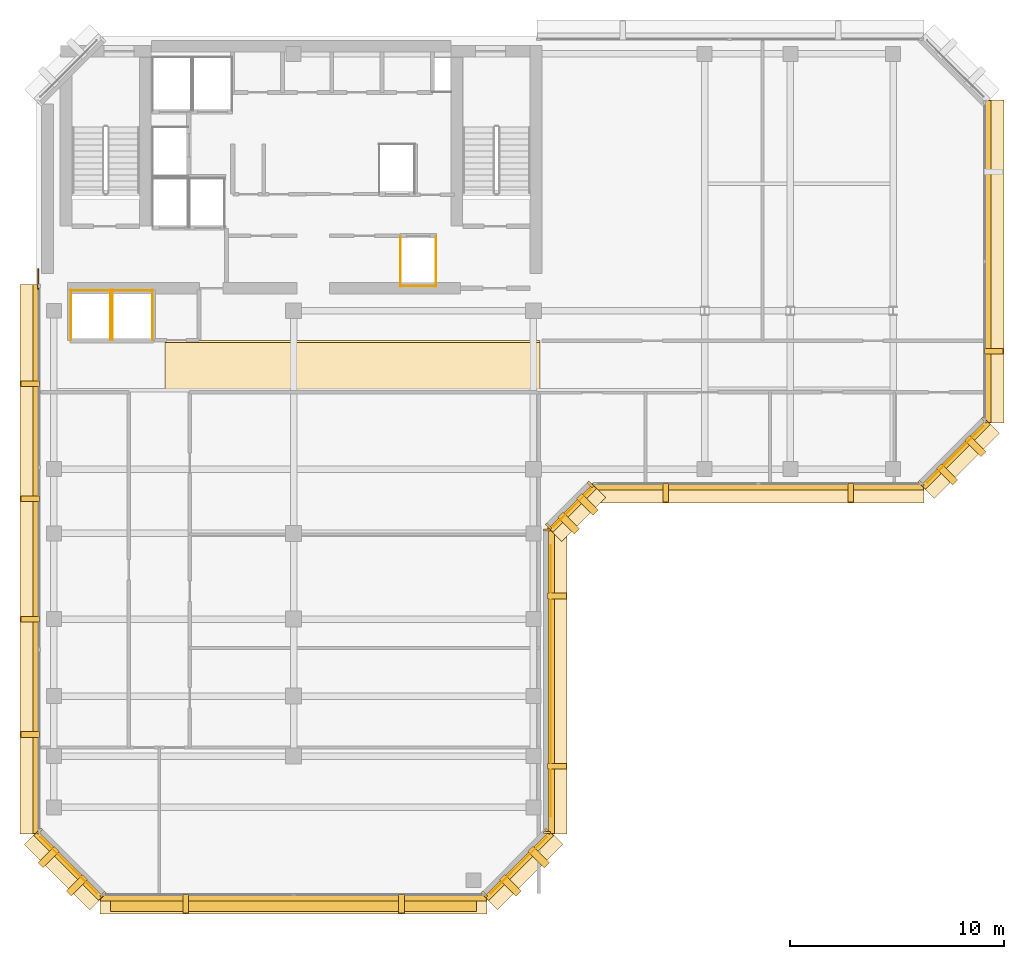
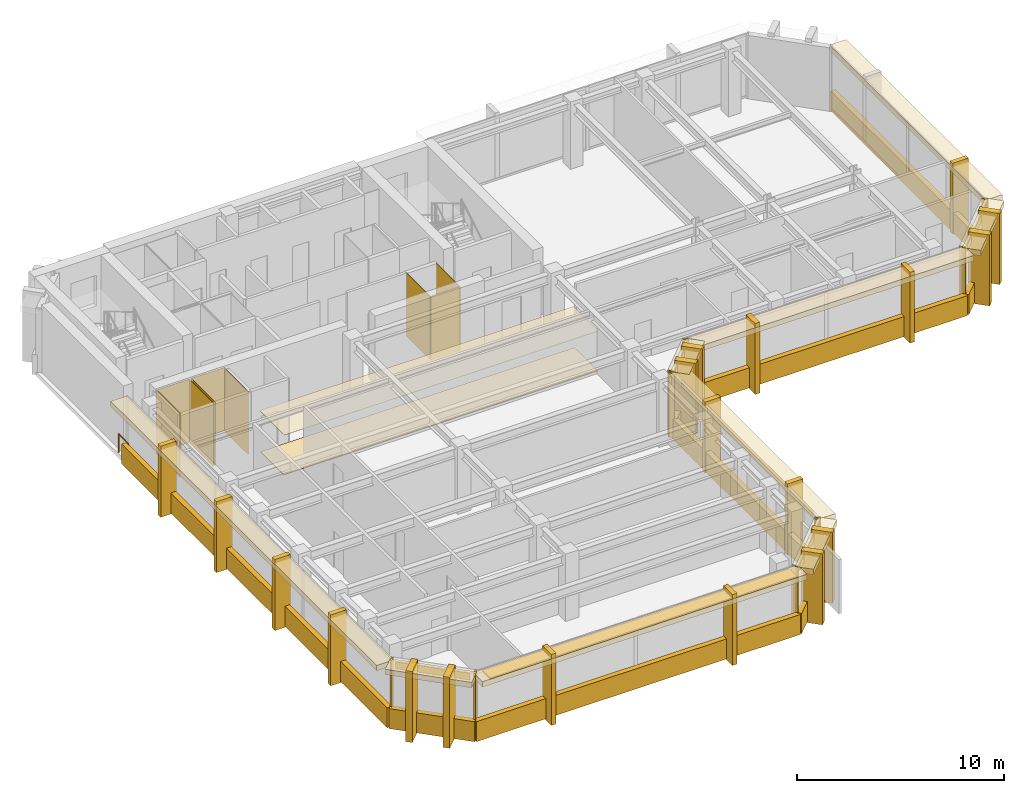
# One storey, part 9 of 11: 63 coverings, 1 railing, 1 shading device.
"""IFC4 building model written with IfcOpenShell, lengths in metres."""

import ifcopenshell
import ifcopenshell.guid

model = None  # the IFC model being written
_history = None  # IfcOwnerHistory: only IFC2X3 demands one
_inside = {}  # id of a spatial element -> (the spatial element, [elements in it])
_under = {}  # id of a project, library or spatial element -> (it, [spatial elements below it])
_declared = {}  # id of a project -> (the project, [libraries it declares])
_typed = {}  # id of a type object -> (the type object, [elements of that type])
_made_of = {}  # id of a material, layer set ... -> (it, [elements and type objects made of it])


def new_model(schema):
    """Start an empty IFC model of exactly this schema.

    Asked for "IFC4X3", IfcOpenShell would pick the latest addendum, in which some entities
    have other attributes; the version numbers below select the first issue.
    IFC2X3 requires an IfcOwnerHistory on every rooted entity: one is made here for all.
    """
    global model, _history
    if schema == "IFC4X3":
        model = ifcopenshell.file(schema_version=(4, 3, 0, 0))
    else:
        model = ifcopenshell.file(schema=schema)
    _inside.clear()
    _under.clear()
    _declared.clear()
    _typed.clear()
    _made_of.clear()
    _history = None
    if model.schema == "IFC2X3":
        org = make("IfcOrganization", Name="unknown")
        user = make(
            "IfcPersonAndOrganization",
            ThePerson=make("IfcPerson", FamilyName="unknown"),
            TheOrganization=org,
        )
        app = make(
            "IfcApplication",
            ApplicationDeveloper=org,
            Version="unknown",
            ApplicationFullName="unknown",
            ApplicationIdentifier="unknown",
        )
        _history = make(
            "IfcOwnerHistory",
            OwningUser=user,
            OwningApplication=app,
            ChangeAction="ADDED",
            CreationDate=0,
        )
    return model


def make(cls, **values):
    """One entity of the class cls with the attributes given. An attribute that is None is left unset."""
    return model.create_entity(
        cls, **{name: value for name, value in values.items() if value is not None}
    )


def rooted(cls, **values):
    """An entity with a GlobalId (a new one), such as an element, a storey or a relation."""
    return make(cls, GlobalId=ifcopenshell.guid.new(), OwnerHistory=_history, **values)


def si_unit(unit_type, name, prefix=None):
    """IfcSIUnit, for example si_unit("LENGTHUNIT", "METRE", prefix="MILLI")."""
    return make("IfcSIUnit", UnitType=unit_type, Prefix=prefix, Name=name)


def assignment(units):
    """IfcUnitAssignment: the units of a project."""
    return None if units is None else make("IfcUnitAssignment", Units=units)


def point(xyz):
    """IfcCartesianPoint."""
    return None if xyz is None else make("IfcCartesianPoint", Coordinates=xyz)


def direction(xyz):
    """IfcDirection."""
    return None if xyz is None else make("IfcDirection", DirectionRatios=xyz)


def frame(location, z_axis=None, x_axis=None):
    """IfcAxis2Placement3D, a coordinate frame: its origin and axes. An axis left out is left unset."""
    return make(
        "IfcAxis2Placement3D",
        Location=point(location),
        Axis=direction(z_axis),
        RefDirection=direction(x_axis),
    )


def frame_2d(location, x_axis=None):
    """IfcAxis2Placement2D, a coordinate frame in the plane: its origin and x axis."""
    return make(
        "IfcAxis2Placement2D", Location=point(location), RefDirection=direction(x_axis)
    )


def origin():
    """The frame at (0, 0, 0) with its axes left unset."""
    return frame((0.0, 0.0, 0.0))


def origin_2d():
    """The frame at (0, 0) in the plane with its x axis left unset."""
    return frame_2d((0.0, 0.0))


def place(relative_to, where):
    """IfcLocalPlacement: puts the frame where relative to a parent placement (None: the world)."""
    return make(
        "IfcLocalPlacement", PlacementRelTo=relative_to, RelativePlacement=where
    )


def context(
    kind, dimensions, precision=None, world=None, true_north=None, identifier=None
):
    """IfcGeometricRepresentationContext, for example the 3D "Model" context."""
    return make(
        "IfcGeometricRepresentationContext",
        ContextIdentifier=identifier,
        ContextType=kind,
        CoordinateSpaceDimension=dimensions,
        Precision=precision,
        WorldCoordinateSystem=world,
        TrueNorth=true_north,
    )


def subcontext(parent, identifier, kind, view, scale=None):
    """IfcGeometricRepresentationSubContext, for example "Body" below "Model"."""
    return make(
        "IfcGeometricRepresentationSubContext",
        ContextIdentifier=identifier,
        ContextType=kind,
        ParentContext=parent,
        TargetScale=scale,
        TargetView=view,
    )


def project(units=None, contexts=None):
    """IfcProject with its units and contexts."""
    return rooted(
        "IfcProject",
        Name="project",
        RepresentationContexts=contexts,
        UnitsInContext=assignment(units),
    )


def spatial(cls, under=None, at=None, **own):
    """A site, building, storey or space (cls), placed at a placement, below another one or the project."""
    s = rooted(cls, ObjectPlacement=at, **own)
    if under is not None:
        _under.setdefault(under.id(), (under, []))[1].append(s)
    return s


def polyline(points):
    """IfcPolyline through the points."""
    return make("IfcPolyline", Points=[point(p) for p in points])


def profile(cls, at=None, kind="AREA", **sizes):
    """A parametric profile (cls). Its sizes go by their IFC names, for example OverallWidth=200.0."""
    return make(cls, ProfileType=kind, Position=at, **sizes)


def rectangle(**sizes):
    """IfcRectangleProfileDef."""
    return profile("IfcRectangleProfileDef", **sizes)


def circle(**sizes):
    """IfcCircleProfileDef."""
    return profile("IfcCircleProfileDef", **sizes)


def outline(outer, holes=None, kind="AREA"):
    """IfcArbitraryClosedProfileDef: a profile drawn as a closed curve; with holes, ...WithVoids."""
    if holes is None:
        return make("IfcArbitraryClosedProfileDef", ProfileType=kind, OuterCurve=outer)
    return make(
        "IfcArbitraryProfileDefWithVoids",
        ProfileType=kind,
        OuterCurve=outer,
        InnerCurves=holes,
    )


def extrude(swept, where, along, depth):
    """IfcExtrudedAreaSolid: the profile swept, set in the frame where, extruded along a direction by depth."""
    return make(
        "IfcExtrudedAreaSolid",
        SweptArea=swept,
        Position=where,
        ExtrudedDirection=direction(along),
        Depth=depth,
    )


def shape(context_of_items, identifier, shape_type, items):
    """IfcShapeRepresentation: the items that make up one representation, for example the "Body"."""
    return make(
        "IfcShapeRepresentation",
        ContextOfItems=context_of_items,
        RepresentationIdentifier=identifier,
        RepresentationType=shape_type,
        Items=items,
    )


def material(Name=None, Category=None):
    """IfcMaterial."""
    return make("IfcMaterial", Name=Name, Category=Category)


def layer(
    of_material, thickness, ventilated=None, Name=None, Category=None, Priority=None
):
    """IfcMaterialLayer: one layer of a wall or slab, of a material (None: an air gap)."""
    return make(
        "IfcMaterialLayer",
        Material=of_material,
        LayerThickness=thickness,
        IsVentilated=ventilated,
        Name=Name,
        Category=Category,
        Priority=Priority,
    )


def layer_set(layers, Name=None):
    """IfcMaterialLayerSet."""
    return make("IfcMaterialLayerSet", MaterialLayers=layers, LayerSetName=Name)


def made_of(thing, what):
    """Note that an element or type object is made of a material, layer set ...; save() writes the relation."""
    if what is not None:
        _made_of.setdefault(what.id(), (what, []))[1].append(thing)
    return thing


def type_object(cls, material=None, **own):
    """A type object (cls), such as IfcWallType, which elements share."""
    return made_of(rooted(cls, **own), material)


def element(
    cls,
    number,
    at=None,
    inside=None,
    cuts=None,
    type_object=None,
    material=None,
    context=None,
    identifier="Body",
    shape_type=None,
    held_by="IfcProductDefinitionShape",
    body=None,
    shapes=None,
    **own,
):
    """One element of the class cls, such as IfcWall. Its Tag is "e" and its number.

    at: its placement. inside: the storey or other place that contains it. cuts: it is an
    opening in that element (IfcRelVoidsElement). A single representation is given by context,
    identifier, shape_type and body (its items); several are given by shapes. held_by: the class
    of the entity that holds the representations. save() writes the other relations.
    """
    e = rooted(cls, Tag="e%d" % number, ObjectPlacement=at, **own)
    if body is not None:
        shapes = [shape(context, identifier, shape_type, body)]
    if shapes is not None:
        e.Representation = make(held_by, Representations=shapes)
    if inside is not None:
        _inside.setdefault(inside.id(), (inside, []))[1].append(e)
    if cuts is not None:
        rooted(
            "IfcRelVoidsElement", RelatingBuildingElement=cuts, RelatedOpeningElement=e
        )
    if type_object is not None:
        _typed.setdefault(type_object.id(), (type_object, []))[1].append(e)
    return made_of(e, material)


def aggregate(whole, parts):
    """IfcRelAggregates: a whole, such as a stair, and the parts it consists of."""
    return rooted("IfcRelAggregates", RelatingObject=whole, RelatedObjects=parts)


def save(model, path):
    """Write the relations noted so far, then the file.

    IfcRelAggregates (storeys below a building ...), IfcRelContainedInSpatialStructure (elements
    in a storey), IfcRelDefinesByType, IfcRelAssociatesMaterial and IfcRelDeclares: one each for
    every whole, place, type object, material and project.
    """
    for whole, parts in _under.values():
        aggregate(whole, parts)
    for where, things in _inside.values():
        rooted(
            "IfcRelContainedInSpatialStructure",
            RelatedElements=things,
            RelatingStructure=where,
        )
    for kind, things in _typed.values():
        rooted("IfcRelDefinesByType", RelatedObjects=things, RelatingType=kind)
    for what, things in _made_of.values():
        rooted("IfcRelAssociatesMaterial", RelatedObjects=things, RelatingMaterial=what)
    for by, libraries in _declared.values():
        rooted("IfcRelDeclares", RelatingContext=by, RelatedDefinitions=libraries)
    model.write(path)


model = new_model("IFC4")

# Units and contexts
model_context = context("Model", 3, precision=1e-05, world=origin(), true_north=direction((0.0, 1.0)))
body_context = subcontext(model_context, "Body", "Model", "MODEL_VIEW")
ifc_project = project(units=[si_unit("LENGTHUNIT", "METRE"), si_unit("AREAUNIT", "SQUARE_METRE"), si_unit("VOLUMEUNIT", "CUBIC_METRE"), si_unit("PLANEANGLEUNIT", "RADIAN"), si_unit("MASSUNIT", "GRAM", prefix="KILO")], contexts=[model_context])

# Site, building, storey
site_placement = place(None, origin())
site = spatial("IfcSite", under=ifc_project, at=site_placement, CompositionType="ELEMENT")
building_placement = place(site_placement, origin())
building = spatial("IfcBuilding", under=site, at=building_placement, Name="Kefirva Bronze Tower", CompositionType="ELEMENT")
storey_placement = place(building_placement, frame((0.0, 0.0, 288.090087890625)))
storey = spatial("IfcBuildingStorey", under=building, at=storey_placement, Name="L70", CompositionType="ELEMENT", Elevation=288.090087890625)

# Coverings
ifc_material_1 = material(Name="Acoustic mineral tile")
ifc_layer_1 = layer(ifc_material_1, 0.02490234375, Name="Acoustic mineral tile")
ifc_layer_set_1 = layer_set([ifc_layer_1], Name="Acoustic mineral tile")
covering_type_1 = type_object("IfcCoveringType", Name="Acoustic Mineral Suspended Ceiling 25mm", PredefinedType="CEILING", material=ifc_layer_set_1)
covering_1_placement = place(storey_placement, frame((0.0, 0.0, 2.39990234375)))
element("IfcCovering", 1, at=covering_1_placement, inside=storey, type_object=covering_type_1, Name="L70 Corridor Acoustic Ceiling", PredefinedType="CEILING", context=body_context, shape_type="SweptSolid", body=[
    extrude(outline(polyline([(6.0, 29.39990234375), (23.5, 29.39990234375), (23.5, 31.800048828125), (6.0, 31.800048828125), (6.0, 29.39990234375)])), origin(), (0.0, 0.0, 1.0), 0.02490234375),
])
ifc_material_2 = material(Name="Bronze anodised aluminium", Category="aluminium")
ifc_layer_2 = layer(ifc_material_2, 0.02001953125, Name="Bronze anodised aluminium")
ifc_layer_set_2 = layer_set([ifc_layer_2], Name="Bronze anodised aluminium")
covering_type_2 = type_object("IfcCoveringType", Name="Anodised Bronze Spandrel Cladding 20mm", PredefinedType="CLADDING", material=ifc_layer_set_2)
covering_2_placement = place(storey_placement, frame((12.0, 5.760009765625, -0.16015625), z_axis=(0.0, 0.0, 1.0), x_axis=(1.0, 0.0, 0.0)))
element("IfcCovering", 2, at=covering_2_placement, inside=storey, type_object=covering_type_2, Name="L70 Streamline Horizontal Spandrel Band 0", PredefinedType="CLADDING", context=body_context, shape_type="SweptSolid", body=[
    extrude(rectangle(XDim=18.0400390625, YDim=0.280029296875, at=origin_2d()), origin(), (0.0, 0.0, 1.0), 1.179931640625),
])
covering_3_placement = place(storey_placement, frame((22.507080078125, 7.29296875, 3.320068359375), z_axis=(0.0, 0.0, 1.0), x_axis=(0.707106781187, 0.707106781187, 0.0)))
element("IfcCovering", 3, at=covering_3_placement, inside=storey, type_object=covering_type_2, Name="L70 Bronze Spandrel Cladding 1", PredefinedType="CLADDING", context=body_context, shape_type="SweptSolid", body=[
    extrude(rectangle(XDim=3.719482421875, YDim=0.02001953125, at=origin_2d()), origin(), (0.0, 0.0, 1.0), 0.39990234375),
])
for number, where, z_axis, x_axis, name in (
    (4, (20.91162109375, 5.93798828125, 0.0), (0.0, 0.0, 1.0), (0.707106781187, 0.707106781187, 0.0), "L70 Facade Joint Closure Panel 1S"),
    (5, (23.862060546875, 8.88818359375, 0.0), (0.0, 0.0, 1.0), (0.707106781187, 0.707106781187, 0.0), "L70 Facade Joint Closure Panel 1E"),
):
    element("IfcCovering", number, at=place(storey_placement, frame(where, z_axis=z_axis, x_axis=x_axis)), inside=storey, type_object=covering_type_2, Name=name, PredefinedType="CLADDING", context=body_context, shape_type="SweptSolid", body=[
        extrude(rectangle(XDim=0.10009765625, YDim=0.320068359375, at=origin_2d()), origin(), (0.0, 0.0, 1.0), 3.739990234375),
    ])
covering_4_placement = place(storey_placement, frame((22.5283203125, 7.271728515625, -0.16015625), z_axis=(0.0, 0.0, 1.0), x_axis=(0.707106781187, 0.707106781187, 0.0)))
element("IfcCovering", 6, at=covering_4_placement, inside=storey, type_object=covering_type_2, Name="L70 Streamline Horizontal Spandrel Band 1", PredefinedType="CLADDING", context=body_context, shape_type="SweptSolid", body=[
    extrude(rectangle(XDim=4.28271484375, YDim=0.280029296875, at=origin_2d()), origin(), (0.0, 0.0, 1.0), 1.179931640625),
])
covering_5_placement = place(storey_placement, frame((24.010009765625, 15.89990234375, 3.320068359375), z_axis=(0.0, 0.0, 1.0), x_axis=(0.0, 1.0, 0.0)))
element("IfcCovering", 7, at=covering_5_placement, inside=storey, type_object=covering_type_2, Name="L70 Bronze Spandrel Cladding 2", PredefinedType="CLADDING", context=body_context, shape_type="SweptSolid", body=[
    extrude(rectangle(XDim=12.680908203125, YDim=0.02001953125, at=origin_2d()), origin(), (0.0, 0.0, 1.0), 0.39990234375),
])
for number, where, z_axis, x_axis, name in (
    (8, (23.840087890625, 8.8349609375, 0.0), (0.0, 0.0, 1.0), (0.0, 1.0, 0.0), "L70 Facade Joint Closure Panel 2S"),
    (9, (23.840087890625, 22.965087890625, 0.0), (0.0, 0.0, 1.0), (0.0, 1.0, 0.0), "L70 Facade Joint Closure Panel 2E"),
):
    element("IfcCovering", number, at=place(storey_placement, frame(where, z_axis=z_axis, x_axis=x_axis)), inside=storey, type_object=covering_type_2, Name=name, PredefinedType="CLADDING", context=body_context, shape_type="SweptSolid", body=[
        extrude(rectangle(XDim=0.10009765625, YDim=0.320068359375, at=origin_2d()), origin(), (0.0, 0.0, 1.0), 3.739990234375),
    ])
covering_6_placement = place(storey_placement, frame((24.0400390625, 15.89990234375, -0.16015625), z_axis=(0.0, 0.0, 1.0), x_axis=(0.0, 1.0, 0.0)))
element("IfcCovering", 10, at=covering_6_placement, inside=storey, type_object=covering_type_2, Name="L70 Streamline Horizontal Spandrel Band 2", PredefinedType="CLADDING", context=body_context, shape_type="SweptSolid", body=[
    extrude(rectangle(XDim=14.239990234375, YDim=0.280029296875, at=origin_2d()), origin(), (0.0, 0.0, 1.0), 1.179931640625),
])
covering_7_placement = place(storey_placement, frame((25.007080078125, 23.992919921875, 3.320068359375), z_axis=(0.0, 0.0, 1.0), x_axis=(0.707106781187, 0.707106781187, 0.0)))
element("IfcCovering", 11, at=covering_7_placement, inside=storey, type_object=covering_type_2, Name="L70 Bronze Spandrel Cladding 3", PredefinedType="CLADDING", context=body_context, shape_type="SweptSolid", body=[
    extrude(rectangle(XDim=2.446533203125, YDim=0.02001953125, at=origin_2d()), origin(), (0.0, 0.0, 1.0), 0.39990234375),
])
for number, where, z_axis, x_axis, name in (
    (12, (23.91162109375, 23.137939453125, 0.0), (0.0, 0.0, 1.0), (0.707106781187, 0.707106781187, 0.0), "L70 Facade Joint Closure Panel 3S"),
    (13, (25.862060546875, 25.08837890625, 0.0), (0.0, 0.0, 1.0), (0.707106781187, 0.707106781187, 0.0), "L70 Facade Joint Closure Panel 3E"),
):
    element("IfcCovering", number, at=place(storey_placement, frame(where, z_axis=z_axis, x_axis=x_axis)), inside=storey, type_object=covering_type_2, Name=name, PredefinedType="CLADDING", context=body_context, shape_type="SweptSolid", body=[
        extrude(rectangle(XDim=0.10009765625, YDim=0.320068359375, at=origin_2d()), origin(), (0.0, 0.0, 1.0), 3.739990234375),
    ])
covering_8_placement = place(storey_placement, frame((25.0283203125, 23.9716796875, -0.16015625), z_axis=(0.0, 0.0, 1.0), x_axis=(0.707106781187, 0.707106781187, 0.0)))
element("IfcCovering", 14, at=covering_8_placement, inside=storey, type_object=covering_type_2, Name="L70 Streamline Horizontal Spandrel Band 3", PredefinedType="CLADDING", context=body_context, shape_type="SweptSolid", body=[
    extrude(rectangle(XDim=2.868408203125, YDim=0.280029296875, at=origin_2d()), origin(), (0.0, 0.0, 1.0), 1.179931640625),
])
covering_9_placement = place(storey_placement, frame((33.699951171875, 24.9599609375, -0.16015625), z_axis=(0.0, 0.0, 1.0), x_axis=(1.0, 0.0, 0.0)))
element("IfcCovering", 15, at=covering_9_placement, inside=storey, type_object=covering_type_2, Name="L70 Streamline Horizontal Spandrel Band 4", PredefinedType="CLADDING", context=body_context, shape_type="SweptSolid", body=[
    extrude(rectangle(XDim=15.43994140625, YDim=0.280029296875, at=origin_2d()), origin(), (0.0, 0.0, 1.0), 1.179931640625),
])
covering_10_placement = place(storey_placement, frame((42.906982421875, 26.492919921875, 3.320068359375), z_axis=(0.0, 0.0, 1.0), x_axis=(0.707106781187, 0.707106781187, 0.0)))
element("IfcCovering", 16, at=covering_10_placement, inside=storey, type_object=covering_type_2, Name="L70 Bronze Spandrel Cladding 4", PredefinedType="CLADDING", context=body_context, shape_type="SweptSolid", body=[
    extrude(rectangle(XDim=3.719482421875, YDim=0.02001953125, at=origin_2d()), origin(), (0.0, 0.0, 1.0), 0.39990234375),
])
for number, where, z_axis, x_axis, name in (
    (17, (41.311767578125, 25.137939453125, 0.0), (0.0, 0.0, 1.0), (0.707106781187, 0.707106781187, 0.0), "L70 Facade Joint Closure Panel 4S"),
    (18, (44.26220703125, 28.08837890625, 0.0), (0.0, 0.0, 1.0), (0.707106781187, 0.707106781187, 0.0), "L70 Facade Joint Closure Panel 4E"),
):
    element("IfcCovering", number, at=place(storey_placement, frame(where, z_axis=z_axis, x_axis=x_axis)), inside=storey, type_object=covering_type_2, Name=name, PredefinedType="CLADDING", context=body_context, shape_type="SweptSolid", body=[
        extrude(rectangle(XDim=0.10009765625, YDim=0.320068359375, at=origin_2d()), origin(), (0.0, 0.0, 1.0), 3.739990234375),
    ])
covering_11_placement = place(storey_placement, frame((42.92822265625, 26.4716796875, -0.16015625), z_axis=(0.0, 0.0, 1.0), x_axis=(0.707106781187, 0.707106781187, 0.0)))
element("IfcCovering", 19, at=covering_11_placement, inside=storey, type_object=covering_type_2, Name="L70 Streamline Horizontal Spandrel Band 5", PredefinedType="CLADDING", context=body_context, shape_type="SweptSolid", body=[
    extrude(rectangle(XDim=4.28271484375, YDim=0.280029296875, at=origin_2d()), origin(), (0.0, 0.0, 1.0), 1.179931640625),
])
covering_12_placement = place(storey_placement, frame((44.43994140625, 35.5, -0.16015625), z_axis=(0.0, 0.0, 1.0), x_axis=(0.0, 1.0, 0.0)))
element("IfcCovering", 20, at=covering_12_placement, inside=storey, type_object=covering_type_2, Name="L70 Streamline Horizontal Spandrel Band 6", PredefinedType="CLADDING", context=body_context, shape_type="SweptSolid", body=[
    extrude(rectangle(XDim=15.0400390625, YDim=0.280029296875, at=origin_2d()), origin(), (0.0, 0.0, 1.0), 1.179931640625),
])
covering_13_placement = place(storey_placement, frame((-0.0400390625, 21.597412109375, -0.16015625), z_axis=(0.0, 0.0, 1.0), x_axis=(0.0, -1.0, 0.0)))
element("IfcCovering", 21, at=covering_13_placement, inside=storey, type_object=covering_type_2, Name="L70 Streamline Horizontal Spandrel Band 10", PredefinedType="CLADDING", context=body_context, shape_type="SweptSolid", body=[
    extrude(rectangle(XDim=25.635009765625, YDim=0.280029296875, at=origin_2d()), origin(), (0.0, 0.0, 1.0), 1.179931640625),
])
covering_14_placement = place(storey_placement, frame((1.492919921875, 7.29296875, 3.320068359375), z_axis=(0.0, 0.0, 1.0), x_axis=(0.707106781187, -0.707106781187, 0.0)))
element("IfcCovering", 22, at=covering_14_placement, inside=storey, type_object=covering_type_2, Name="L70 Bronze Spandrel Cladding 7", PredefinedType="CLADDING", context=body_context, shape_type="SweptSolid", body=[
    extrude(rectangle(XDim=3.719482421875, YDim=0.02001953125, at=origin_2d()), origin(), (0.0, 0.0, 1.0), 0.39990234375),
])
for number, where, z_axis, x_axis, name in (
    (23, (0.137939453125, 8.88818359375, 0.0), (0.0, 0.0, 1.0), (0.707106781187, -0.707106781187, 0.0), "L70 Facade Joint Closure Panel 7S"),
    (24, (3.08837890625, 5.93798828125, 0.0), (0.0, 0.0, 1.0), (0.707106781187, -0.707106781187, 0.0), "L70 Facade Joint Closure Panel 7E"),
):
    element("IfcCovering", number, at=place(storey_placement, frame(where, z_axis=z_axis, x_axis=x_axis)), inside=storey, type_object=covering_type_2, Name=name, PredefinedType="CLADDING", context=body_context, shape_type="SweptSolid", body=[
        extrude(rectangle(XDim=0.10009765625, YDim=0.320068359375, at=origin_2d()), origin(), (0.0, 0.0, 1.0), 3.739990234375),
    ])
covering_15_placement = place(storey_placement, frame((1.4716796875, 7.271728515625, -0.16015625), z_axis=(0.0, 0.0, 1.0), x_axis=(0.707106781187, -0.707106781187, 0.0)))
element("IfcCovering", 25, at=covering_15_placement, inside=storey, type_object=covering_type_2, Name="L70 Streamline Horizontal Spandrel Band 11", PredefinedType="CLADDING", context=body_context, shape_type="SweptSolid", body=[
    extrude(rectangle(XDim=4.28271484375, YDim=0.280029296875, at=origin_2d()), origin(), (0.0, 0.0, 1.0), 1.179931640625),
])
covering_16_placement = place(storey_placement, origin())
element("IfcCovering", 26, at=covering_16_placement, inside=storey, type_object=covering_type_2, Name="L70 Lift OB1 Hoistway Liner N", PredefinedType="CLADDING", context=body_context, shape_type="SweptSolid", body=[
    extrude(outline(polyline([(1.580078125, 34.139892578125), (3.469970703125, 34.139892578125), (3.469970703125, 34.159912109375), (1.580078125, 34.159912109375), (1.580078125, 34.139892578125)])), origin(), (0.0, 0.0, 1.0), 3.739990234375),
])
covering_17_placement = place(storey_placement, origin())
element("IfcCovering", 27, at=covering_17_placement, inside=storey, type_object=covering_type_2, Name="L70 Lift OB1 Hoistway Liner W", PredefinedType="CLADDING", context=body_context, shape_type="SweptSolid", body=[
    extrude(outline(polyline([(1.590087890625, 31.830078125), (1.610107421875, 31.830078125), (1.610107421875, 34.169921875), (1.590087890625, 34.169921875), (1.590087890625, 31.830078125)])), origin(), (0.0, 0.0, 1.0), 3.739990234375),
])
covering_18_placement = place(storey_placement, origin())
element("IfcCovering", 28, at=covering_18_placement, inside=storey, type_object=covering_type_2, Name="L70 Lift OB1 Hoistway Liner E", PredefinedType="CLADDING", context=body_context, shape_type="SweptSolid", body=[
    extrude(outline(polyline([(3.43994140625, 31.830078125), (3.4599609375, 31.830078125), (3.4599609375, 34.169921875), (3.43994140625, 34.169921875), (3.43994140625, 31.830078125)])), origin(), (0.0, 0.0, 1.0), 3.739990234375),
])
covering_19_placement = place(storey_placement, origin())
element("IfcCovering", 29, at=covering_19_placement, inside=storey, type_object=covering_type_2, Name="L70 Lift OB2 Hoistway Liner N", PredefinedType="CLADDING", context=body_context, shape_type="SweptSolid", body=[
    extrude(outline(polyline([(3.530029296875, 34.139892578125), (5.419921875, 34.139892578125), (5.419921875, 34.159912109375), (3.530029296875, 34.159912109375), (3.530029296875, 34.139892578125)])), origin(), (0.0, 0.0, 1.0), 3.739990234375),
])
covering_20_placement = place(storey_placement, origin())
element("IfcCovering", 30, at=covering_20_placement, inside=storey, type_object=covering_type_2, Name="L70 Lift OB2 Hoistway Liner W", PredefinedType="CLADDING", context=body_context, shape_type="SweptSolid", body=[
    extrude(outline(polyline([(3.5400390625, 31.830078125), (3.56005859375, 31.830078125), (3.56005859375, 34.169921875), (3.5400390625, 34.169921875), (3.5400390625, 31.830078125)])), origin(), (0.0, 0.0, 1.0), 3.739990234375),
])
covering_21_placement = place(storey_placement, origin())
element("IfcCovering", 31, at=covering_21_placement, inside=storey, type_object=covering_type_2, Name="L70 Lift OB2 Hoistway Liner E", PredefinedType="CLADDING", context=body_context, shape_type="SweptSolid", body=[
    extrude(outline(polyline([(5.389892578125, 31.830078125), (5.409912109375, 31.830078125), (5.409912109375, 34.169921875), (5.389892578125, 34.169921875), (5.389892578125, 31.830078125)])), origin(), (0.0, 0.0, 1.0), 3.739990234375),
])
covering_22_placement = place(storey_placement, origin())
element("IfcCovering", 32, at=covering_22_placement, inside=storey, type_object=covering_type_2, Name="L70 Lift HP1 Hoistway Liner S", PredefinedType="CLADDING", context=body_context, shape_type="SweptSolid", body=[
    extrude(outline(polyline([(16.97998046875, 34.340087890625), (18.669921875, 34.340087890625), (18.669921875, 34.360107421875), (16.97998046875, 34.360107421875), (16.97998046875, 34.340087890625)])), origin(), (0.0, 0.0, 1.0), 3.739990234375),
])
covering_23_placement = place(storey_placement, origin())
element("IfcCovering", 33, at=covering_23_placement, inside=storey, type_object=covering_type_2, Name="L70 Lift HP1 Hoistway Liner W", PredefinedType="CLADDING", context=body_context, shape_type="SweptSolid", body=[
    extrude(outline(polyline([(16.989990234375, 34.330078125), (17.010009765625, 34.330078125), (17.010009765625, 36.669921875), (16.989990234375, 36.669921875), (16.989990234375, 34.330078125)])), origin(), (0.0, 0.0, 1.0), 3.739990234375),
])
covering_24_placement = place(storey_placement, origin())
element("IfcCovering", 34, at=covering_24_placement, inside=storey, type_object=covering_type_2, Name="L70 Lift HP1 Hoistway Liner E", PredefinedType="CLADDING", context=body_context, shape_type="SweptSolid", body=[
    extrude(outline(polyline([(18.639892578125, 34.330078125), (18.659912109375, 34.330078125), (18.659912109375, 36.669921875), (18.639892578125, 36.669921875), (18.639892578125, 34.330078125)])), origin(), (0.0, 0.0, 1.0), 3.739990234375),
])

# Shading device
ifc_layer_3 = layer(ifc_material_2, 0.090087890625, Name="Bronze anodised aluminium")
ifc_layer_set_3 = layer_set([ifc_layer_3], Name="Bronze anodised aluminium")
shading_device_type = type_object("IfcShadingDeviceType", Name="Horizontal Bronze Sunshade Band 750mm", PredefinedType="JALOUSIE", material=ifc_layer_set_3)
shading_device_placement = place(storey_placement, frame((12.0, 5.5048828125, 3.634765625), z_axis=(0.0, 0.0, 1.0), x_axis=(1.0, 0.0, 0.0)))
element("IfcShadingDevice", 35, at=shading_device_placement, inside=storey, type_object=shading_device_type, Name="L70 Horizontal Bronze Sunshade Band 0", PredefinedType="JALOUSIE", context=body_context, shape_type="SweptSolid", body=[
    extrude(rectangle(XDim=17.090087890625, YDim=0.75, at=origin_2d()), origin(), (0.0, 0.0, 1.0), 0.090087890625),
])

# Railing
ifc_material_3 = material(Name="Stainless steel 316", Category="steel")
railing_type = type_object("IfcRailingType", Name="Interior Stair Guardrail 1100mm", PredefinedType="GUARDRAIL", material=ifc_material_3)
railing_placement = place(storey_placement, frame((0.080078125, 34.199951171875, 0.0)))
element("IfcRailing", 36, at=railing_placement, inside=storey, type_object=railing_type, Name="L70 West Core Junction Guardrail", PredefinedType="GUARDRAIL", context=body_context, shape_type="SweptSolid", body=[
    extrude(circle(Radius=0.02392578125, at=origin_2d()), frame((0.0, 0.0, 1.076171875), z_axis=(0.0, 1.0, 0.0), x_axis=(-1.0, 0.0, 0.0)), (0.0, 0.0, 1.0), 0.949951171875),
    extrude(circle(Radius=0.02099609375, at=origin_2d()), origin(), (0.0, 0.0, 1.0), 1.052001953125),
    extrude(circle(Radius=0.02099609375, at=origin_2d()), frame((0.0, 0.949951171875, 0.0)), (0.0, 0.0, 1.0), 1.052001953125),
])

# Coverings
ifc_material_4 = material(Name="Calcium sulphate access tile")
ifc_layer_4 = layer(ifc_material_4, 0.044921875, Name="Calcium sulphate access tile")
ifc_layer_set_4 = layer_set([ifc_layer_4], Name="Calcium sulphate access tile")
covering_type_3 = type_object("IfcCoveringType", Name="Raised Access Office Flooring 45mm", PredefinedType="FLOORING", material=ifc_layer_set_4)
covering_25_placement = place(storey_placement, origin())
element("IfcCovering", 37, at=covering_25_placement, inside=storey, type_object=covering_type_3, Name="L70 Architectural Finish Flooring", PredefinedType="FLOORING", context=body_context, shape_type="SweptSolid", body=[
    extrude(outline(polyline([(6.0, 29.47998046875), (23.5, 29.47998046875), (23.5, 31.719970703125), (6.0, 31.719970703125), (6.0, 29.47998046875)])), origin(), (0.0, 0.0, 1.0), 0.044921875),
])
ifc_layer_5 = layer(ifc_material_2, 0.179931640625, Name="Bronze anodised aluminium")
ifc_layer_set_5 = layer_set([ifc_layer_5], Name="Bronze anodised aluminium")
covering_type_4 = type_object("IfcCoveringType", Name="Streamline Bronze Sunshade Eyebrow Cladding 180mm", PredefinedType="CLADDING", material=ifc_layer_set_5)
covering_26_placement = place(storey_placement, frame((12.0, 5.489990234375, 3.419921875), z_axis=(0.0, 0.0, 1.0), x_axis=(1.0, 0.0, 0.0)))
element("IfcCovering", 38, at=covering_26_placement, inside=storey, type_object=covering_type_4, Name="L70 Streamline Bronze Sunshade Eyebrow 0", PredefinedType="CLADDING", context=body_context, shape_type="SweptSolid", body=[
    extrude(rectangle(XDim=18.080078125, YDim=0.93994140625, at=origin_2d()), origin(), (0.0, 0.0, 1.0), 0.320068359375),
])
covering_27_placement = place(storey_placement, frame((22.71923828125, 7.080810546875, 3.419921875), z_axis=(0.0, 0.0, 1.0), x_axis=(0.707106781187, 0.707106781187, 0.0)))
element("IfcCovering", 39, at=covering_27_placement, inside=storey, type_object=covering_type_4, Name="L70 Streamline Bronze Sunshade Eyebrow 1", PredefinedType="CLADDING", context=body_context, shape_type="SweptSolid", body=[
    extrude(rectangle(XDim=4.322509765625, YDim=0.93994140625, at=origin_2d()), origin(), (0.0, 0.0, 1.0), 0.320068359375),
])
covering_28_placement = place(storey_placement, frame((24.31005859375, 15.89990234375, 3.419921875), z_axis=(0.0, 0.0, 1.0), x_axis=(0.0, 1.0, 0.0)))
element("IfcCovering", 40, at=covering_28_placement, inside=storey, type_object=covering_type_4, Name="L70 Streamline Bronze Sunshade Eyebrow 2", PredefinedType="CLADDING", context=body_context, shape_type="SweptSolid", body=[
    extrude(rectangle(XDim=14.280029296875, YDim=0.93994140625, at=origin_2d()), origin(), (0.0, 0.0, 1.0), 0.320068359375),
])
covering_29_placement = place(storey_placement, frame((25.21923828125, 23.78076171875, 3.419921875), z_axis=(0.0, 0.0, 1.0), x_axis=(0.707106781187, 0.707106781187, 0.0)))
element("IfcCovering", 41, at=covering_29_placement, inside=storey, type_object=covering_type_4, Name="L70 Streamline Bronze Sunshade Eyebrow 3", PredefinedType="CLADDING", context=body_context, shape_type="SweptSolid", body=[
    extrude(rectangle(XDim=2.908447265625, YDim=0.93994140625, at=origin_2d()), origin(), (0.0, 0.0, 1.0), 0.320068359375),
])
covering_30_placement = place(storey_placement, frame((33.699951171875, 24.68994140625, 3.419921875), z_axis=(0.0, 0.0, 1.0), x_axis=(1.0, 0.0, 0.0)))
element("IfcCovering", 42, at=covering_30_placement, inside=storey, type_object=covering_type_4, Name="L70 Streamline Bronze Sunshade Eyebrow 4", PredefinedType="CLADDING", context=body_context, shape_type="SweptSolid", body=[
    extrude(rectangle(XDim=15.47998046875, YDim=0.93994140625, at=origin_2d()), origin(), (0.0, 0.0, 1.0), 0.320068359375),
])
covering_31_placement = place(storey_placement, frame((43.119140625, 26.28076171875, 3.419921875), z_axis=(0.0, 0.0, 1.0), x_axis=(0.707106781187, 0.707106781187, 0.0)))
element("IfcCovering", 43, at=covering_31_placement, inside=storey, type_object=covering_type_4, Name="L70 Streamline Bronze Sunshade Eyebrow 5", PredefinedType="CLADDING", context=body_context, shape_type="SweptSolid", body=[
    extrude(rectangle(XDim=4.322509765625, YDim=0.93994140625, at=origin_2d()), origin(), (0.0, 0.0, 1.0), 0.320068359375),
])
covering_32_placement = place(storey_placement, frame((44.7099609375, 35.5, 3.419921875), z_axis=(0.0, 0.0, 1.0), x_axis=(0.0, 1.0, 0.0)))
element("IfcCovering", 44, at=covering_32_placement, inside=storey, type_object=covering_type_4, Name="L70 Streamline Bronze Sunshade Eyebrow 6", PredefinedType="CLADDING", context=body_context, shape_type="SweptSolid", body=[
    extrude(rectangle(XDim=15.080078125, YDim=0.93994140625, at=origin_2d()), origin(), (0.0, 0.0, 1.0), 0.320068359375),
])
covering_33_placement = place(storey_placement, frame((-0.31005859375, 21.597412109375, 3.419921875), z_axis=(0.0, 0.0, 1.0), x_axis=(0.0, -1.0, 0.0)))
element("IfcCovering", 45, at=covering_33_placement, inside=storey, type_object=covering_type_4, Name="L70 Streamline Bronze Sunshade Eyebrow 10", PredefinedType="CLADDING", context=body_context, shape_type="SweptSolid", body=[
    extrude(rectangle(XDim=25.675048828125, YDim=0.93994140625, at=origin_2d()), origin(), (0.0, 0.0, 1.0), 0.320068359375),
])
covering_34_placement = place(storey_placement, frame((1.28076171875, 7.080810546875, 3.419921875), z_axis=(0.0, 0.0, 1.0), x_axis=(0.707106781187, -0.707106781187, 0.0)))
element("IfcCovering", 46, at=covering_34_placement, inside=storey, type_object=covering_type_4, Name="L70 Streamline Bronze Sunshade Eyebrow 11", PredefinedType="CLADDING", context=body_context, shape_type="SweptSolid", body=[
    extrude(rectangle(XDim=4.322509765625, YDim=0.93994140625, at=origin_2d()), origin(), (0.0, 0.0, 1.0), 0.320068359375),
])
ifc_layer_6 = layer(ifc_material_2, 0.260009765625, Name="Bronze anodised aluminium")
ifc_layer_set_6 = layer_set([ifc_layer_6], Name="Bronze anodised aluminium")
covering_type_5 = type_object("IfcCoveringType", Name="Unbroken Bronze Buttress Fin Cladding 260mm", PredefinedType="CLADDING", material=ifc_layer_set_6)
for number, where, z_axis, x_axis, name in (
    (47, (6.9599609375, 5.5, -0.22021484375), (0.0, 0.0, 1.0), (1.0, 0.0, 0.0), "L70 Unbroken Vertical Bronze Rib Fin 1"),
    (48, (17.0400390625, 5.5, -0.22021484375), (0.0, 0.0, 1.0), (1.0, 0.0, 0.0), "L70 Unbroken Vertical Bronze Rib Fin 2"),
):
    element("IfcCovering", number, at=place(storey_placement, frame(where, z_axis=z_axis, x_axis=x_axis)), inside=storey, type_object=covering_type_5, Name=name, PredefinedType="CLADDING", context=body_context, shape_type="SweptSolid", body=[
        extrude(rectangle(XDim=0.260009765625, YDim=0.8798828125, at=origin_2d()), origin(), (0.0, 0.0, 1.0), 4.179931640625),
    ])
for number, where, z_axis, x_axis, name in (
    (49, (22.122802734375, 6.357177734375, -0.22021484375), (0.0, 0.0, 1.0), (0.707106781187, 0.707106781187, 0.0), "L70 Chamfered Corner Buttress Fin Cladding 3"),
    (50, (23.44287109375, 7.67724609375, -0.22021484375), (0.0, 0.0, 1.0), (0.707106781187, 0.707106781187, 0.0), "L70 Chamfered Corner Buttress Fin Cladding 4"),
):
    element("IfcCovering", number, at=place(storey_placement, frame(where, z_axis=z_axis, x_axis=x_axis)), inside=storey, type_object=covering_type_5, Name=name, PredefinedType="CLADDING", context=body_context, shape_type="SweptSolid", body=[
        extrude(rectangle(XDim=0.340087890625, YDim=1.080078125, at=origin_2d()), origin(), (0.0, 0.0, 1.0), 4.179931640625),
    ])
for number, where, z_axis, x_axis, name in (
    (51, (24.300048828125, 11.924072265625, -0.22021484375), (0.0, 0.0, 1.0), (0.0, 1.0, 0.0), "L70 Unbroken Vertical Bronze Rib Fin 5"),
    (52, (24.300048828125, 19.8759765625, -0.22021484375), (0.0, 0.0, 1.0), (0.0, 1.0, 0.0), "L70 Unbroken Vertical Bronze Rib Fin 6"),
):
    element("IfcCovering", number, at=place(storey_placement, frame(where, z_axis=z_axis, x_axis=x_axis)), inside=storey, type_object=covering_type_5, Name=name, PredefinedType="CLADDING", context=body_context, shape_type="SweptSolid", body=[
        extrude(rectangle(XDim=0.260009765625, YDim=0.8798828125, at=origin_2d()), origin(), (0.0, 0.0, 1.0), 4.179931640625),
    ])
for number, where, z_axis, x_axis, name in (
    (53, (24.8427734375, 23.277099609375, -0.22021484375), (0.0, 0.0, 1.0), (0.707106781187, 0.707106781187, 0.0), "L70 Chamfered Corner Buttress Fin Cladding 7"),
    (54, (25.722900390625, 24.1572265625, -0.22021484375), (0.0, 0.0, 1.0), (0.707106781187, 0.707106781187, 0.0), "L70 Chamfered Corner Buttress Fin Cladding 8"),
):
    element("IfcCovering", number, at=place(storey_placement, frame(where, z_axis=z_axis, x_axis=x_axis)), inside=storey, type_object=covering_type_5, Name=name, PredefinedType="CLADDING", context=body_context, shape_type="SweptSolid", body=[
        extrude(rectangle(XDim=0.340087890625, YDim=1.080078125, at=origin_2d()), origin(), (0.0, 0.0, 1.0), 4.179931640625),
    ])
for number, where, z_axis, x_axis, name in (
    (55, (29.387939453125, 24.699951171875, -0.22021484375), (0.0, 0.0, 1.0), (1.0, 0.0, 0.0), "L70 Unbroken Vertical Bronze Rib Fin 9"),
    (56, (38.011962890625, 24.699951171875, -0.22021484375), (0.0, 0.0, 1.0), (1.0, 0.0, 0.0), "L70 Unbroken Vertical Bronze Rib Fin 10"),
):
    element("IfcCovering", number, at=place(storey_placement, frame(where, z_axis=z_axis, x_axis=x_axis)), inside=storey, type_object=covering_type_5, Name=name, PredefinedType="CLADDING", context=body_context, shape_type="SweptSolid", body=[
        extrude(rectangle(XDim=0.260009765625, YDim=0.8798828125, at=origin_2d()), origin(), (0.0, 0.0, 1.0), 4.179931640625),
    ])
for number, where, z_axis, x_axis, name in (
    (57, (42.522705078125, 25.55712890625, -0.22021484375), (0.0, 0.0, 1.0), (0.707106781187, 0.707106781187, 0.0), "L70 Chamfered Corner Buttress Fin Cladding 11"),
    (58, (43.8427734375, 26.877197265625, -0.22021484375), (0.0, 0.0, 1.0), (0.707106781187, 0.707106781187, 0.0), "L70 Chamfered Corner Buttress Fin Cladding 12"),
):
    element("IfcCovering", number, at=place(storey_placement, frame(where, z_axis=z_axis, x_axis=x_axis)), inside=storey, type_object=covering_type_5, Name=name, PredefinedType="CLADDING", context=body_context, shape_type="SweptSolid", body=[
        extrude(rectangle(XDim=0.340087890625, YDim=1.080078125, at=origin_2d()), origin(), (0.0, 0.0, 1.0), 4.179931640625),
    ])
for number, where, z_axis, x_axis, name in (
    (59, (44.699951171875, 31.300048828125, -0.22021484375), (0.0, 0.0, 1.0), (0.0, 1.0, 0.0), "L70 Unbroken Vertical Bronze Rib Fin 13"),
    (60, (-0.300048828125, 29.787841796875, -0.22021484375), (0.0, 0.0, 1.0), (0.0, -1.0, 0.0), "L70 Unbroken Vertical Bronze Rib Fin 21"),
    (61, (-0.300048828125, 24.4130859375, -0.22021484375), (0.0, 0.0, 1.0), (0.0, -1.0, 0.0), "L70 Unbroken Vertical Bronze Rib Fin 22"),
    (62, (-0.300048828125, 18.781982421875, -0.22021484375), (0.0, 0.0, 1.0), (0.0, -1.0, 0.0), "L70 Unbroken Vertical Bronze Rib Fin 23"),
    (63, (-0.300048828125, 13.406982421875, -0.22021484375), (0.0, 0.0, 1.0), (0.0, -1.0, 0.0), "L70 Unbroken Vertical Bronze Rib Fin 24"),
):
    element("IfcCovering", number, at=place(storey_placement, frame(where, z_axis=z_axis, x_axis=x_axis)), inside=storey, type_object=covering_type_5, Name=name, PredefinedType="CLADDING", context=body_context, shape_type="SweptSolid", body=[
        extrude(rectangle(XDim=0.260009765625, YDim=0.8798828125, at=origin_2d()), origin(), (0.0, 0.0, 1.0), 4.179931640625),
    ])
for number, where, z_axis, x_axis, name in (
    (64, (0.55712890625, 7.67724609375, -0.22021484375), (0.0, 0.0, 1.0), (0.707106781187, -0.707106781187, 0.0), "L70 Chamfered Corner Buttress Fin Cladding 25"),
    (65, (1.877197265625, 6.357177734375, -0.22021484375), (0.0, 0.0, 1.0), (0.707106781187, -0.707106781187, 0.0), "L70 Chamfered Corner Buttress Fin Cladding 26"),
):
    element("IfcCovering", number, at=place(storey_placement, frame(where, z_axis=z_axis, x_axis=x_axis)), inside=storey, type_object=covering_type_5, Name=name, PredefinedType="CLADDING", context=body_context, shape_type="SweptSolid", body=[
        extrude(rectangle(XDim=0.340087890625, YDim=1.080078125, at=origin_2d()), origin(), (0.0, 0.0, 1.0), 4.179931640625),
    ])

save(model, "model.ifc")
